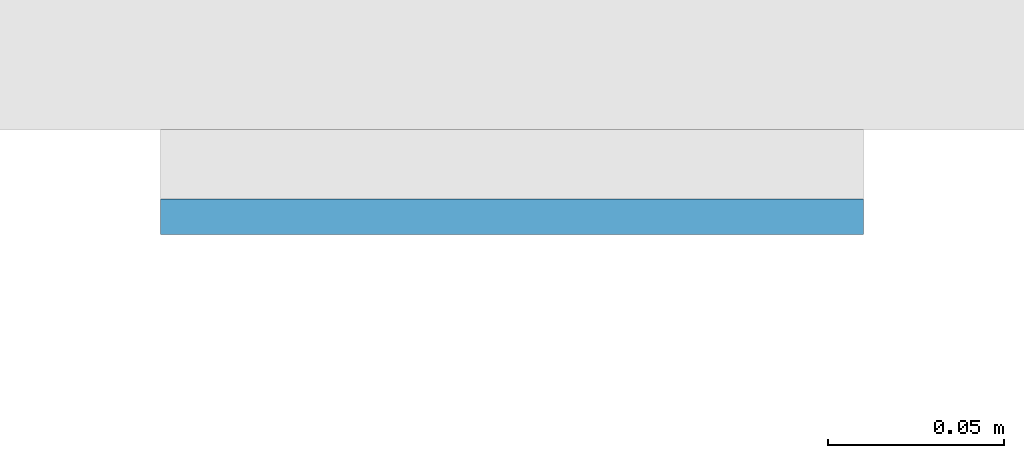
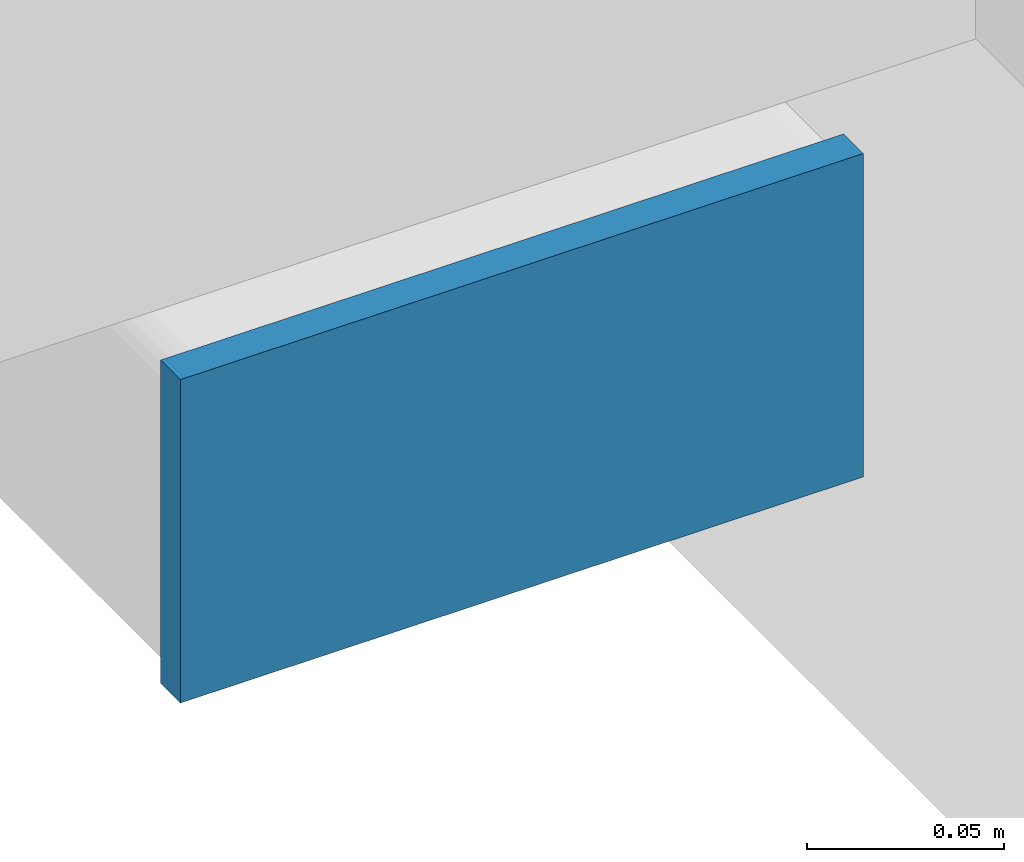
# One storey, part 8 of 20: 1 plate.
"""IFC4 building model written with IfcOpenShell, lengths in metres."""

from ifc_helpers import new_model, si_unit, direction, frame, origin, origin_2d, place, context, subcontext, project, spatial, rectangle, extrude, material, layer, layer_set, type_object, element, save


model = new_model("IFC4")

# Units and contexts
model_context = context("Model", 3, precision=1e-05, world=origin(), true_north=direction((0.0, 1.0)))
body_context = subcontext(model_context, "Body", "Model", "MODEL_VIEW")
ifc_project = project(units=[si_unit("LENGTHUNIT", "METRE"), si_unit("AREAUNIT", "SQUARE_METRE"), si_unit("VOLUMEUNIT", "CUBIC_METRE"), si_unit("PLANEANGLEUNIT", "RADIAN"), si_unit("MASSUNIT", "GRAM", prefix="KILO")], contexts=[model_context])

# Site, building, storey
site_placement = place(None, origin())
site = spatial("IfcSite", under=ifc_project, at=site_placement, CompositionType="ELEMENT")
building_placement = place(site_placement, origin())
building = spatial("IfcBuilding", under=site, at=building_placement, Name="Cleftline Residences", CompositionType="ELEMENT")
storey_placement = place(building_placement, frame((0.0, 0.0, 157.39990234375)))
storey = spatial("IfcBuildingStorey", under=building, at=storey_placement, Name="L41", CompositionType="ELEMENT", Elevation=157.39990234375)

# Plate
ifc_material = material(Name="Steel S355, hot-dip galvanised", Category="steel")
ifc_layer = layer(ifc_material, 0.010009765625)
ifc_layer_set = layer_set([ifc_layer], Name="BAGUETTE CARRIER END PLATE 200X100X10")
plate_type = type_object("IfcPlateType", Name="BAGUETTE CARRIER END PLATE 200X100X10", PredefinedType="USERDEFINED", material=ifc_layer_set)
plate_placement = place(storey_placement, frame((-0.85009765625, 3.695068359375, -0.099853515625), z_axis=(0.0, 0.0, 1.0), x_axis=(-1.0, 0.0, 0.0)))
element("IfcPlate", 1, at=plate_placement, inside=storey, type_object=plate_type, Name="Baguette carrier end plate", ObjectType="BAGUETTE CARRIER END PLATE", PredefinedType="USERDEFINED", context=body_context, shape_type="SweptSolid", body=[
    extrude(rectangle(XDim=0.199951171875, YDim=0.010009765625, at=origin_2d()), origin(), (0.0, 0.0, 1.0), 0.10009765625),
])

save(model, "model.ifc")
